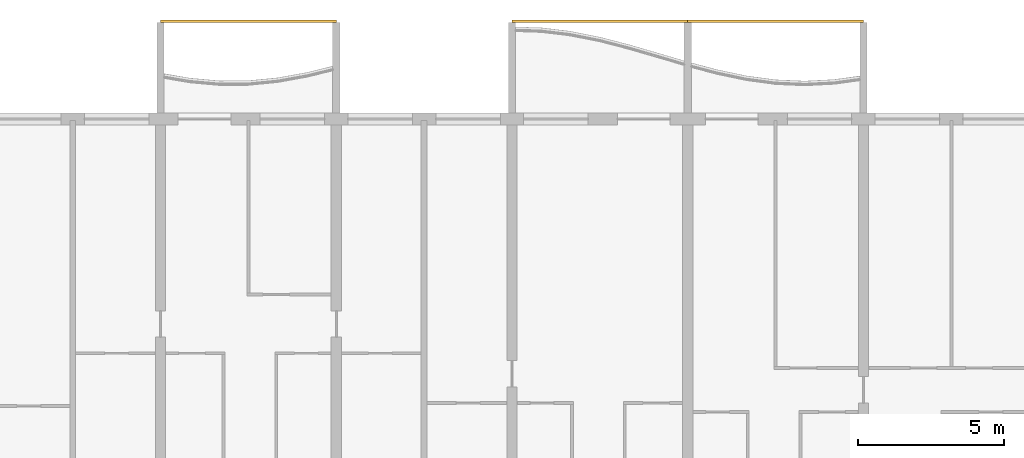
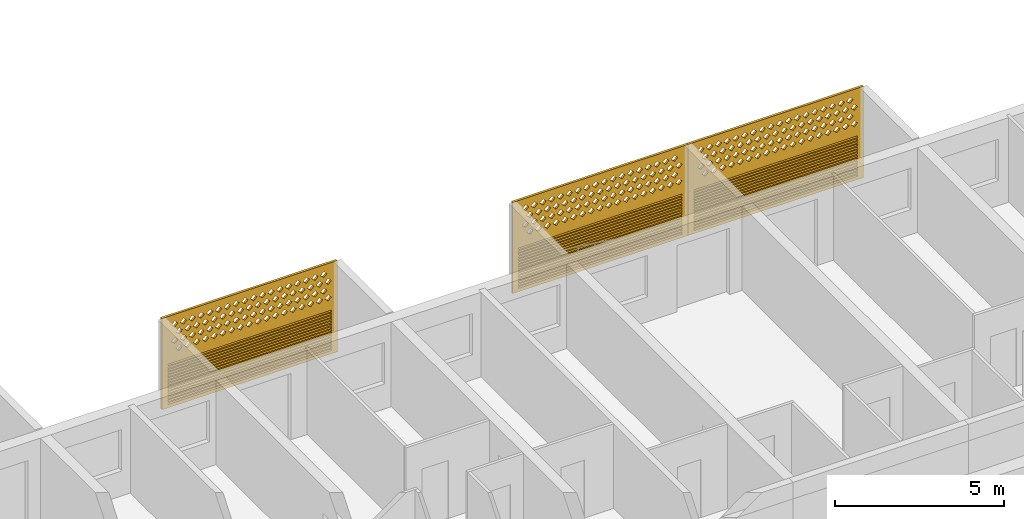
# One storey, part 23 of 30: 3 coverings.
"""IFC4 building model written with IfcOpenShell, lengths in metres."""

from ifc_helpers import new_model, si_unit, direction, frame, origin, place, context, subcontext, project, spatial, polyline, outline, extrude, source, transform, mapped, material, material_profile, profile_set, type_object, element, save


model = new_model("IFC4")

# Units and contexts
model_context = context("Model", 3, precision=1e-05, world=origin(), true_north=direction((0.0, 1.0)))
body_context = subcontext(model_context, "Body", "Model", "MODEL_VIEW")
ifc_project = project(units=[si_unit("LENGTHUNIT", "METRE"), si_unit("AREAUNIT", "SQUARE_METRE"), si_unit("VOLUMEUNIT", "CUBIC_METRE"), si_unit("PLANEANGLEUNIT", "RADIAN"), si_unit("MASSUNIT", "GRAM", prefix="KILO")], contexts=[model_context])

# Site, building, storey
site_placement = place(None, origin())
site = spatial("IfcSite", under=ifc_project, at=site_placement, CompositionType="ELEMENT")
building_placement = place(site_placement, origin())
building = spatial("IfcBuilding", under=site, at=building_placement, Name="Poui Terraces", CompositionType="ELEMENT")
storey_placement = place(building_placement, frame((0.0, 0.0, 99.300048828125)))
storey = spatial("IfcBuildingStorey", under=building, at=storey_placement, Name="L27", CompositionType="ELEMENT", Elevation=99.300048828125)

# Coverings
ifc_material = material(Name="Terracotta screen", Category="masonry")
ifc_material_profile = material_profile(ifc_material, outline(polyline([(-3.0, -1.64990234375), (3.0, -1.64990234375), (3.0, 1.64990234375), (-3.0, 1.64990234375), (-3.0, -1.64990234375)]), holes=[polyline([(-2.800048828125, 0.39990234375), (-2.68994140625, 0.2900390625), (-2.580078125, 0.39990234375), (-2.68994140625, 0.510009765625), (-2.800048828125, 0.39990234375)]), polyline([(-2.5, 0.39990234375), (-2.389892578125, 0.2900390625), (-2.280029296875, 0.39990234375), (-2.389892578125, 0.510009765625), (-2.5, 0.39990234375)]), polyline([(-2.199951171875, 0.39990234375), (-2.090087890625, 0.2900390625), (-1.97998046875, 0.39990234375), (-2.090087890625, 0.510009765625), (-2.199951171875, 0.39990234375)]), polyline([(-1.89990234375, 0.39990234375), (-1.7900390625, 0.2900390625), (-1.679931640625, 0.39990234375), (-1.7900390625, 0.510009765625), (-1.89990234375, 0.39990234375)]), polyline([(-1.60009765625, 0.39990234375), (-1.489990234375, 0.2900390625), (-1.3798828125, 0.39990234375), (-1.489990234375, 0.510009765625), (-1.60009765625, 0.39990234375)]), polyline([(-1.300048828125, 0.39990234375), (-1.18994140625, 0.2900390625), (-1.080078125, 0.39990234375), (-1.18994140625, 0.510009765625), (-1.300048828125, 0.39990234375)]), polyline([(-1.0, 0.39990234375), (-0.889892578125, 0.2900390625), (-0.780029296875, 0.39990234375), (-0.889892578125, 0.510009765625), (-1.0, 0.39990234375)]), polyline([(-0.699951171875, 0.39990234375), (-0.590087890625, 0.2900390625), (-0.47998046875, 0.39990234375), (-0.590087890625, 0.510009765625), (-0.699951171875, 0.39990234375)]), polyline([(-0.39990234375, 0.39990234375), (-0.2900390625, 0.2900390625), (-0.179931640625, 0.39990234375), (-0.2900390625, 0.510009765625), (-0.39990234375, 0.39990234375)]), polyline([(-0.10009765625, 0.39990234375), (0.010009765625, 0.2900390625), (0.1201171875, 0.39990234375), (0.010009765625, 0.510009765625), (-0.10009765625, 0.39990234375)]), polyline([(0.199951171875, 0.39990234375), (0.31005859375, 0.2900390625), (0.419921875, 0.39990234375), (0.31005859375, 0.510009765625), (0.199951171875, 0.39990234375)]), polyline([(0.5, 0.39990234375), (0.610107421875, 0.2900390625), (0.719970703125, 0.39990234375), (0.610107421875, 0.510009765625), (0.5, 0.39990234375)]), polyline([(0.800048828125, 0.39990234375), (0.909912109375, 0.2900390625), (1.02001953125, 0.39990234375), (0.909912109375, 0.510009765625), (0.800048828125, 0.39990234375)]), polyline([(1.10009765625, 0.39990234375), (1.2099609375, 0.2900390625), (1.320068359375, 0.39990234375), (1.2099609375, 0.510009765625), (1.10009765625, 0.39990234375)]), polyline([(1.39990234375, 0.39990234375), (1.510009765625, 0.2900390625), (1.6201171875, 0.39990234375), (1.510009765625, 0.510009765625), (1.39990234375, 0.39990234375)]), polyline([(1.699951171875, 0.39990234375), (1.81005859375, 0.2900390625), (1.919921875, 0.39990234375), (1.81005859375, 0.510009765625), (1.699951171875, 0.39990234375)]), polyline([(2.0, 0.39990234375), (2.110107421875, 0.2900390625), (2.219970703125, 0.39990234375), (2.110107421875, 0.510009765625), (2.0, 0.39990234375)]), polyline([(2.300048828125, 0.39990234375), (2.409912109375, 0.2900390625), (2.52001953125, 0.39990234375), (2.409912109375, 0.510009765625), (2.300048828125, 0.39990234375)]), polyline([(-2.64990234375, 0.699951171875), (-2.5400390625, 0.590087890625), (-2.429931640625, 0.699951171875), (-2.5400390625, 0.81005859375), (-2.64990234375, 0.699951171875)]), polyline([(-2.35009765625, 0.699951171875), (-2.239990234375, 0.590087890625), (-2.1298828125, 0.699951171875), (-2.239990234375, 0.81005859375), (-2.35009765625, 0.699951171875)]), polyline([(-2.050048828125, 0.699951171875), (-1.93994140625, 0.590087890625), (-1.830078125, 0.699951171875), (-1.93994140625, 0.81005859375), (-2.050048828125, 0.699951171875)]), polyline([(-1.75, 0.699951171875), (-1.639892578125, 0.590087890625), (-1.530029296875, 0.699951171875), (-1.639892578125, 0.81005859375), (-1.75, 0.699951171875)]), polyline([(-1.449951171875, 0.699951171875), (-1.340087890625, 0.590087890625), (-1.22998046875, 0.699951171875), (-1.340087890625, 0.81005859375), (-1.449951171875, 0.699951171875)]), polyline([(-1.14990234375, 0.699951171875), (-1.0400390625, 0.590087890625), (-0.929931640625, 0.699951171875), (-1.0400390625, 0.81005859375), (-1.14990234375, 0.699951171875)]), polyline([(-0.85009765625, 0.699951171875), (-0.739990234375, 0.590087890625), (-0.6298828125, 0.699951171875), (-0.739990234375, 0.81005859375), (-0.85009765625, 0.699951171875)]), polyline([(-0.550048828125, 0.699951171875), (-0.43994140625, 0.590087890625), (-0.330078125, 0.699951171875), (-0.43994140625, 0.81005859375), (-0.550048828125, 0.699951171875)]), polyline([(-0.25, 0.699951171875), (-0.139892578125, 0.590087890625), (-0.030029296875, 0.699951171875), (-0.139892578125, 0.81005859375), (-0.25, 0.699951171875)]), polyline([(0.050048828125, 0.699951171875), (0.159912109375, 0.590087890625), (0.27001953125, 0.699951171875), (0.159912109375, 0.81005859375), (0.050048828125, 0.699951171875)]), polyline([(0.35009765625, 0.699951171875), (0.4599609375, 0.590087890625), (0.570068359375, 0.699951171875), (0.4599609375, 0.81005859375), (0.35009765625, 0.699951171875)]), polyline([(0.64990234375, 0.699951171875), (0.760009765625, 0.590087890625), (0.8701171875, 0.699951171875), (0.760009765625, 0.81005859375), (0.64990234375, 0.699951171875)]), polyline([(0.949951171875, 0.699951171875), (1.06005859375, 0.590087890625), (1.169921875, 0.699951171875), (1.06005859375, 0.81005859375), (0.949951171875, 0.699951171875)]), polyline([(1.25, 0.699951171875), (1.360107421875, 0.590087890625), (1.469970703125, 0.699951171875), (1.360107421875, 0.81005859375), (1.25, 0.699951171875)]), polyline([(1.550048828125, 0.699951171875), (1.659912109375, 0.590087890625), (1.77001953125, 0.699951171875), (1.659912109375, 0.81005859375), (1.550048828125, 0.699951171875)]), polyline([(1.85009765625, 0.699951171875), (1.9599609375, 0.590087890625), (2.070068359375, 0.699951171875), (1.9599609375, 0.81005859375), (1.85009765625, 0.699951171875)]), polyline([(2.14990234375, 0.699951171875), (2.260009765625, 0.590087890625), (2.3701171875, 0.699951171875), (2.260009765625, 0.81005859375), (2.14990234375, 0.699951171875)]), polyline([(2.449951171875, 0.699951171875), (2.56005859375, 0.590087890625), (2.669921875, 0.699951171875), (2.56005859375, 0.81005859375), (2.449951171875, 0.699951171875)]), polyline([(-2.800048828125, 1.0), (-2.68994140625, 0.889892578125), (-2.580078125, 1.0), (-2.68994140625, 1.110107421875), (-2.800048828125, 1.0)]), polyline([(-2.5, 1.0), (-2.389892578125, 0.889892578125), (-2.280029296875, 1.0), (-2.389892578125, 1.110107421875), (-2.5, 1.0)]), polyline([(-2.199951171875, 1.0), (-2.090087890625, 0.889892578125), (-1.97998046875, 1.0), (-2.090087890625, 1.110107421875), (-2.199951171875, 1.0)]), polyline([(-1.89990234375, 1.0), (-1.7900390625, 0.889892578125), (-1.679931640625, 1.0), (-1.7900390625, 1.110107421875), (-1.89990234375, 1.0)]), polyline([(-1.60009765625, 1.0), (-1.489990234375, 0.889892578125), (-1.3798828125, 1.0), (-1.489990234375, 1.110107421875), (-1.60009765625, 1.0)]), polyline([(-1.300048828125, 1.0), (-1.18994140625, 0.889892578125), (-1.080078125, 1.0), (-1.18994140625, 1.110107421875), (-1.300048828125, 1.0)]), polyline([(-1.0, 1.0), (-0.889892578125, 0.889892578125), (-0.780029296875, 1.0), (-0.889892578125, 1.110107421875), (-1.0, 1.0)]), polyline([(-0.699951171875, 1.0), (-0.590087890625, 0.889892578125), (-0.47998046875, 1.0), (-0.590087890625, 1.110107421875), (-0.699951171875, 1.0)]), polyline([(-0.39990234375, 1.0), (-0.2900390625, 0.889892578125), (-0.179931640625, 1.0), (-0.2900390625, 1.110107421875), (-0.39990234375, 1.0)]), polyline([(-0.10009765625, 1.0), (0.010009765625, 0.889892578125), (0.1201171875, 1.0), (0.010009765625, 1.110107421875), (-0.10009765625, 1.0)]), polyline([(0.199951171875, 1.0), (0.31005859375, 0.889892578125), (0.419921875, 1.0), (0.31005859375, 1.110107421875), (0.199951171875, 1.0)]), polyline([(0.5, 1.0), (0.610107421875, 0.889892578125), (0.719970703125, 1.0), (0.610107421875, 1.110107421875), (0.5, 1.0)]), polyline([(0.800048828125, 1.0), (0.909912109375, 0.889892578125), (1.02001953125, 1.0), (0.909912109375, 1.110107421875), (0.800048828125, 1.0)]), polyline([(1.10009765625, 1.0), (1.2099609375, 0.889892578125), (1.320068359375, 1.0), (1.2099609375, 1.110107421875), (1.10009765625, 1.0)]), polyline([(1.39990234375, 1.0), (1.510009765625, 0.889892578125), (1.6201171875, 1.0), (1.510009765625, 1.110107421875), (1.39990234375, 1.0)]), polyline([(1.699951171875, 1.0), (1.81005859375, 0.889892578125), (1.919921875, 1.0), (1.81005859375, 1.110107421875), (1.699951171875, 1.0)]), polyline([(2.0, 1.0), (2.110107421875, 0.889892578125), (2.219970703125, 1.0), (2.110107421875, 1.110107421875), (2.0, 1.0)]), polyline([(2.300048828125, 1.0), (2.409912109375, 0.889892578125), (2.52001953125, 1.0), (2.409912109375, 1.110107421875), (2.300048828125, 1.0)]), polyline([(-2.64990234375, 1.300048828125), (-2.5400390625, 1.18994140625), (-2.429931640625, 1.300048828125), (-2.5400390625, 1.409912109375), (-2.64990234375, 1.300048828125)]), polyline([(-2.35009765625, 1.300048828125), (-2.239990234375, 1.18994140625), (-2.1298828125, 1.300048828125), (-2.239990234375, 1.409912109375), (-2.35009765625, 1.300048828125)]), polyline([(-2.050048828125, 1.300048828125), (-1.93994140625, 1.18994140625), (-1.830078125, 1.300048828125), (-1.93994140625, 1.409912109375), (-2.050048828125, 1.300048828125)]), polyline([(-1.75, 1.300048828125), (-1.639892578125, 1.18994140625), (-1.530029296875, 1.300048828125), (-1.639892578125, 1.409912109375), (-1.75, 1.300048828125)]), polyline([(-1.449951171875, 1.300048828125), (-1.340087890625, 1.18994140625), (-1.22998046875, 1.300048828125), (-1.340087890625, 1.409912109375), (-1.449951171875, 1.300048828125)]), polyline([(-1.14990234375, 1.300048828125), (-1.0400390625, 1.18994140625), (-0.929931640625, 1.300048828125), (-1.0400390625, 1.409912109375), (-1.14990234375, 1.300048828125)]), polyline([(-0.85009765625, 1.300048828125), (-0.739990234375, 1.18994140625), (-0.6298828125, 1.300048828125), (-0.739990234375, 1.409912109375), (-0.85009765625, 1.300048828125)]), polyline([(-0.550048828125, 1.300048828125), (-0.43994140625, 1.18994140625), (-0.330078125, 1.300048828125), (-0.43994140625, 1.409912109375), (-0.550048828125, 1.300048828125)]), polyline([(-0.25, 1.300048828125), (-0.139892578125, 1.18994140625), (-0.030029296875, 1.300048828125), (-0.139892578125, 1.409912109375), (-0.25, 1.300048828125)]), polyline([(0.050048828125, 1.300048828125), (0.159912109375, 1.18994140625), (0.27001953125, 1.300048828125), (0.159912109375, 1.409912109375), (0.050048828125, 1.300048828125)]), polyline([(0.35009765625, 1.300048828125), (0.4599609375, 1.18994140625), (0.570068359375, 1.300048828125), (0.4599609375, 1.409912109375), (0.35009765625, 1.300048828125)]), polyline([(0.64990234375, 1.300048828125), (0.760009765625, 1.18994140625), (0.8701171875, 1.300048828125), (0.760009765625, 1.409912109375), (0.64990234375, 1.300048828125)]), polyline([(0.949951171875, 1.300048828125), (1.06005859375, 1.18994140625), (1.169921875, 1.300048828125), (1.06005859375, 1.409912109375), (0.949951171875, 1.300048828125)]), polyline([(1.25, 1.300048828125), (1.360107421875, 1.18994140625), (1.469970703125, 1.300048828125), (1.360107421875, 1.409912109375), (1.25, 1.300048828125)]), polyline([(1.550048828125, 1.300048828125), (1.659912109375, 1.18994140625), (1.77001953125, 1.300048828125), (1.659912109375, 1.409912109375), (1.550048828125, 1.300048828125)]), polyline([(1.85009765625, 1.300048828125), (1.9599609375, 1.18994140625), (2.070068359375, 1.300048828125), (1.9599609375, 1.409912109375), (1.85009765625, 1.300048828125)]), polyline([(2.14990234375, 1.300048828125), (2.260009765625, 1.18994140625), (2.3701171875, 1.300048828125), (2.260009765625, 1.409912109375), (2.14990234375, 1.300048828125)]), polyline([(2.449951171875, 1.300048828125), (2.56005859375, 1.18994140625), (2.669921875, 1.300048828125), (2.56005859375, 1.409912109375), (2.449951171875, 1.300048828125)]), polyline([(-2.800048828125, -1.530029296875), (2.800048828125, -1.530029296875), (2.800048828125, -1.469970703125), (-2.800048828125, -1.469970703125), (-2.800048828125, -1.530029296875)]), polyline([(-2.800048828125, -1.429931640625), (2.800048828125, -1.429931640625), (2.800048828125, -1.3701171875), (-2.800048828125, -1.3701171875), (-2.800048828125, -1.429931640625)]), polyline([(-2.800048828125, -1.330078125), (2.800048828125, -1.330078125), (2.800048828125, -1.27001953125), (-2.800048828125, -1.27001953125), (-2.800048828125, -1.330078125)]), polyline([(-2.800048828125, -1.22998046875), (2.800048828125, -1.22998046875), (2.800048828125, -1.169921875), (-2.800048828125, -1.169921875), (-2.800048828125, -1.22998046875)]), polyline([(-2.800048828125, -1.1298828125), (2.800048828125, -1.1298828125), (2.800048828125, -1.070068359375), (-2.800048828125, -1.070068359375), (-2.800048828125, -1.1298828125)]), polyline([(-2.800048828125, -1.030029296875), (2.800048828125, -1.030029296875), (2.800048828125, -0.969970703125), (-2.800048828125, -0.969970703125), (-2.800048828125, -1.030029296875)]), polyline([(-2.800048828125, -0.929931640625), (2.800048828125, -0.929931640625), (2.800048828125, -0.8701171875), (-2.800048828125, -0.8701171875), (-2.800048828125, -0.929931640625)]), polyline([(-2.800048828125, -0.830078125), (2.800048828125, -0.830078125), (2.800048828125, -0.77001953125), (-2.800048828125, -0.77001953125), (-2.800048828125, -0.830078125)]), polyline([(-2.800048828125, -0.72998046875), (2.800048828125, -0.72998046875), (2.800048828125, -0.669921875), (-2.800048828125, -0.669921875), (-2.800048828125, -0.72998046875)]), polyline([(-2.800048828125, -0.6298828125), (2.800048828125, -0.6298828125), (2.800048828125, -0.570068359375), (-2.800048828125, -0.570068359375), (-2.800048828125, -0.6298828125)]), polyline([(-2.800048828125, -0.530029296875), (2.800048828125, -0.530029296875), (2.800048828125, -0.469970703125), (-2.800048828125, -0.469970703125), (-2.800048828125, -0.530029296875)]), polyline([(-2.800048828125, -0.429931640625), (2.800048828125, -0.429931640625), (2.800048828125, -0.3701171875), (-2.800048828125, -0.3701171875), (-2.800048828125, -0.429931640625)]), polyline([(-2.800048828125, -0.330078125), (2.800048828125, -0.330078125), (2.800048828125, -0.27001953125), (-2.800048828125, -0.27001953125), (-2.800048828125, -0.330078125)]), polyline([(-2.800048828125, -0.22998046875), (2.800048828125, -0.22998046875), (2.800048828125, -0.169921875), (-2.800048828125, -0.169921875), (-2.800048828125, -0.22998046875)]), polyline([(-2.800048828125, -0.1298828125), (2.800048828125, -0.1298828125), (2.800048828125, -0.070068359375), (-2.800048828125, -0.070068359375), (-2.800048828125, -0.1298828125)])]), Name="TERRACOTTA SCREEN AND JALOUSIE LOUVRE 6000X3300")
ifc_profile_set = profile_set([ifc_material_profile], Name="Terracotta screen")
covering_type = type_object("IfcCoveringType", Name="TERRACOTTA SCREEN AND JALOUSIE LOUVRE 6000X3300", PredefinedType="CLADDING", material=ifc_profile_set)
shared_shape = source(origin(), body_context, "Body", "SweptSolid", [
    extrude(outline(polyline([(-3.0, -1.64990234375), (3.0, -1.64990234375), (3.0, 1.64990234375), (-3.0, 1.64990234375), (-3.0, -1.64990234375)]), holes=[polyline([(-2.800048828125, 0.39990234375), (-2.68994140625, 0.2900390625), (-2.580078125, 0.39990234375), (-2.68994140625, 0.510009765625), (-2.800048828125, 0.39990234375)]), polyline([(-2.5, 0.39990234375), (-2.389892578125, 0.2900390625), (-2.280029296875, 0.39990234375), (-2.389892578125, 0.510009765625), (-2.5, 0.39990234375)]), polyline([(-2.199951171875, 0.39990234375), (-2.090087890625, 0.2900390625), (-1.97998046875, 0.39990234375), (-2.090087890625, 0.510009765625), (-2.199951171875, 0.39990234375)]), polyline([(-1.89990234375, 0.39990234375), (-1.7900390625, 0.2900390625), (-1.679931640625, 0.39990234375), (-1.7900390625, 0.510009765625), (-1.89990234375, 0.39990234375)]), polyline([(-1.60009765625, 0.39990234375), (-1.489990234375, 0.2900390625), (-1.3798828125, 0.39990234375), (-1.489990234375, 0.510009765625), (-1.60009765625, 0.39990234375)]), polyline([(-1.300048828125, 0.39990234375), (-1.18994140625, 0.2900390625), (-1.080078125, 0.39990234375), (-1.18994140625, 0.510009765625), (-1.300048828125, 0.39990234375)]), polyline([(-1.0, 0.39990234375), (-0.889892578125, 0.2900390625), (-0.780029296875, 0.39990234375), (-0.889892578125, 0.510009765625), (-1.0, 0.39990234375)]), polyline([(-0.699951171875, 0.39990234375), (-0.590087890625, 0.2900390625), (-0.47998046875, 0.39990234375), (-0.590087890625, 0.510009765625), (-0.699951171875, 0.39990234375)]), polyline([(-0.39990234375, 0.39990234375), (-0.2900390625, 0.2900390625), (-0.179931640625, 0.39990234375), (-0.2900390625, 0.510009765625), (-0.39990234375, 0.39990234375)]), polyline([(-0.10009765625, 0.39990234375), (0.010009765625, 0.2900390625), (0.1201171875, 0.39990234375), (0.010009765625, 0.510009765625), (-0.10009765625, 0.39990234375)]), polyline([(0.199951171875, 0.39990234375), (0.31005859375, 0.2900390625), (0.419921875, 0.39990234375), (0.31005859375, 0.510009765625), (0.199951171875, 0.39990234375)]), polyline([(0.5, 0.39990234375), (0.610107421875, 0.2900390625), (0.719970703125, 0.39990234375), (0.610107421875, 0.510009765625), (0.5, 0.39990234375)]), polyline([(0.800048828125, 0.39990234375), (0.909912109375, 0.2900390625), (1.02001953125, 0.39990234375), (0.909912109375, 0.510009765625), (0.800048828125, 0.39990234375)]), polyline([(1.10009765625, 0.39990234375), (1.2099609375, 0.2900390625), (1.320068359375, 0.39990234375), (1.2099609375, 0.510009765625), (1.10009765625, 0.39990234375)]), polyline([(1.39990234375, 0.39990234375), (1.510009765625, 0.2900390625), (1.6201171875, 0.39990234375), (1.510009765625, 0.510009765625), (1.39990234375, 0.39990234375)]), polyline([(1.699951171875, 0.39990234375), (1.81005859375, 0.2900390625), (1.919921875, 0.39990234375), (1.81005859375, 0.510009765625), (1.699951171875, 0.39990234375)]), polyline([(2.0, 0.39990234375), (2.110107421875, 0.2900390625), (2.219970703125, 0.39990234375), (2.110107421875, 0.510009765625), (2.0, 0.39990234375)]), polyline([(2.300048828125, 0.39990234375), (2.409912109375, 0.2900390625), (2.52001953125, 0.39990234375), (2.409912109375, 0.510009765625), (2.300048828125, 0.39990234375)]), polyline([(-2.64990234375, 0.699951171875), (-2.5400390625, 0.590087890625), (-2.429931640625, 0.699951171875), (-2.5400390625, 0.81005859375), (-2.64990234375, 0.699951171875)]), polyline([(-2.35009765625, 0.699951171875), (-2.239990234375, 0.590087890625), (-2.1298828125, 0.699951171875), (-2.239990234375, 0.81005859375), (-2.35009765625, 0.699951171875)]), polyline([(-2.050048828125, 0.699951171875), (-1.93994140625, 0.590087890625), (-1.830078125, 0.699951171875), (-1.93994140625, 0.81005859375), (-2.050048828125, 0.699951171875)]), polyline([(-1.75, 0.699951171875), (-1.639892578125, 0.590087890625), (-1.530029296875, 0.699951171875), (-1.639892578125, 0.81005859375), (-1.75, 0.699951171875)]), polyline([(-1.449951171875, 0.699951171875), (-1.340087890625, 0.590087890625), (-1.22998046875, 0.699951171875), (-1.340087890625, 0.81005859375), (-1.449951171875, 0.699951171875)]), polyline([(-1.14990234375, 0.699951171875), (-1.0400390625, 0.590087890625), (-0.929931640625, 0.699951171875), (-1.0400390625, 0.81005859375), (-1.14990234375, 0.699951171875)]), polyline([(-0.85009765625, 0.699951171875), (-0.739990234375, 0.590087890625), (-0.6298828125, 0.699951171875), (-0.739990234375, 0.81005859375), (-0.85009765625, 0.699951171875)]), polyline([(-0.550048828125, 0.699951171875), (-0.43994140625, 0.590087890625), (-0.330078125, 0.699951171875), (-0.43994140625, 0.81005859375), (-0.550048828125, 0.699951171875)]), polyline([(-0.25, 0.699951171875), (-0.139892578125, 0.590087890625), (-0.030029296875, 0.699951171875), (-0.139892578125, 0.81005859375), (-0.25, 0.699951171875)]), polyline([(0.050048828125, 0.699951171875), (0.159912109375, 0.590087890625), (0.27001953125, 0.699951171875), (0.159912109375, 0.81005859375), (0.050048828125, 0.699951171875)]), polyline([(0.35009765625, 0.699951171875), (0.4599609375, 0.590087890625), (0.570068359375, 0.699951171875), (0.4599609375, 0.81005859375), (0.35009765625, 0.699951171875)]), polyline([(0.64990234375, 0.699951171875), (0.760009765625, 0.590087890625), (0.8701171875, 0.699951171875), (0.760009765625, 0.81005859375), (0.64990234375, 0.699951171875)]), polyline([(0.949951171875, 0.699951171875), (1.06005859375, 0.590087890625), (1.169921875, 0.699951171875), (1.06005859375, 0.81005859375), (0.949951171875, 0.699951171875)]), polyline([(1.25, 0.699951171875), (1.360107421875, 0.590087890625), (1.469970703125, 0.699951171875), (1.360107421875, 0.81005859375), (1.25, 0.699951171875)]), polyline([(1.550048828125, 0.699951171875), (1.659912109375, 0.590087890625), (1.77001953125, 0.699951171875), (1.659912109375, 0.81005859375), (1.550048828125, 0.699951171875)]), polyline([(1.85009765625, 0.699951171875), (1.9599609375, 0.590087890625), (2.070068359375, 0.699951171875), (1.9599609375, 0.81005859375), (1.85009765625, 0.699951171875)]), polyline([(2.14990234375, 0.699951171875), (2.260009765625, 0.590087890625), (2.3701171875, 0.699951171875), (2.260009765625, 0.81005859375), (2.14990234375, 0.699951171875)]), polyline([(2.449951171875, 0.699951171875), (2.56005859375, 0.590087890625), (2.669921875, 0.699951171875), (2.56005859375, 0.81005859375), (2.449951171875, 0.699951171875)]), polyline([(-2.800048828125, 1.0), (-2.68994140625, 0.889892578125), (-2.580078125, 1.0), (-2.68994140625, 1.110107421875), (-2.800048828125, 1.0)]), polyline([(-2.5, 1.0), (-2.389892578125, 0.889892578125), (-2.280029296875, 1.0), (-2.389892578125, 1.110107421875), (-2.5, 1.0)]), polyline([(-2.199951171875, 1.0), (-2.090087890625, 0.889892578125), (-1.97998046875, 1.0), (-2.090087890625, 1.110107421875), (-2.199951171875, 1.0)]), polyline([(-1.89990234375, 1.0), (-1.7900390625, 0.889892578125), (-1.679931640625, 1.0), (-1.7900390625, 1.110107421875), (-1.89990234375, 1.0)]), polyline([(-1.60009765625, 1.0), (-1.489990234375, 0.889892578125), (-1.3798828125, 1.0), (-1.489990234375, 1.110107421875), (-1.60009765625, 1.0)]), polyline([(-1.300048828125, 1.0), (-1.18994140625, 0.889892578125), (-1.080078125, 1.0), (-1.18994140625, 1.110107421875), (-1.300048828125, 1.0)]), polyline([(-1.0, 1.0), (-0.889892578125, 0.889892578125), (-0.780029296875, 1.0), (-0.889892578125, 1.110107421875), (-1.0, 1.0)]), polyline([(-0.699951171875, 1.0), (-0.590087890625, 0.889892578125), (-0.47998046875, 1.0), (-0.590087890625, 1.110107421875), (-0.699951171875, 1.0)]), polyline([(-0.39990234375, 1.0), (-0.2900390625, 0.889892578125), (-0.179931640625, 1.0), (-0.2900390625, 1.110107421875), (-0.39990234375, 1.0)]), polyline([(-0.10009765625, 1.0), (0.010009765625, 0.889892578125), (0.1201171875, 1.0), (0.010009765625, 1.110107421875), (-0.10009765625, 1.0)]), polyline([(0.199951171875, 1.0), (0.31005859375, 0.889892578125), (0.419921875, 1.0), (0.31005859375, 1.110107421875), (0.199951171875, 1.0)]), polyline([(0.5, 1.0), (0.610107421875, 0.889892578125), (0.719970703125, 1.0), (0.610107421875, 1.110107421875), (0.5, 1.0)]), polyline([(0.800048828125, 1.0), (0.909912109375, 0.889892578125), (1.02001953125, 1.0), (0.909912109375, 1.110107421875), (0.800048828125, 1.0)]), polyline([(1.10009765625, 1.0), (1.2099609375, 0.889892578125), (1.320068359375, 1.0), (1.2099609375, 1.110107421875), (1.10009765625, 1.0)]), polyline([(1.39990234375, 1.0), (1.510009765625, 0.889892578125), (1.6201171875, 1.0), (1.510009765625, 1.110107421875), (1.39990234375, 1.0)]), polyline([(1.699951171875, 1.0), (1.81005859375, 0.889892578125), (1.919921875, 1.0), (1.81005859375, 1.110107421875), (1.699951171875, 1.0)]), polyline([(2.0, 1.0), (2.110107421875, 0.889892578125), (2.219970703125, 1.0), (2.110107421875, 1.110107421875), (2.0, 1.0)]), polyline([(2.300048828125, 1.0), (2.409912109375, 0.889892578125), (2.52001953125, 1.0), (2.409912109375, 1.110107421875), (2.300048828125, 1.0)]), polyline([(-2.64990234375, 1.300048828125), (-2.5400390625, 1.18994140625), (-2.429931640625, 1.300048828125), (-2.5400390625, 1.409912109375), (-2.64990234375, 1.300048828125)]), polyline([(-2.35009765625, 1.300048828125), (-2.239990234375, 1.18994140625), (-2.1298828125, 1.300048828125), (-2.239990234375, 1.409912109375), (-2.35009765625, 1.300048828125)]), polyline([(-2.050048828125, 1.300048828125), (-1.93994140625, 1.18994140625), (-1.830078125, 1.300048828125), (-1.93994140625, 1.409912109375), (-2.050048828125, 1.300048828125)]), polyline([(-1.75, 1.300048828125), (-1.639892578125, 1.18994140625), (-1.530029296875, 1.300048828125), (-1.639892578125, 1.409912109375), (-1.75, 1.300048828125)]), polyline([(-1.449951171875, 1.300048828125), (-1.340087890625, 1.18994140625), (-1.22998046875, 1.300048828125), (-1.340087890625, 1.409912109375), (-1.449951171875, 1.300048828125)]), polyline([(-1.14990234375, 1.300048828125), (-1.0400390625, 1.18994140625), (-0.929931640625, 1.300048828125), (-1.0400390625, 1.409912109375), (-1.14990234375, 1.300048828125)]), polyline([(-0.85009765625, 1.300048828125), (-0.739990234375, 1.18994140625), (-0.6298828125, 1.300048828125), (-0.739990234375, 1.409912109375), (-0.85009765625, 1.300048828125)]), polyline([(-0.550048828125, 1.300048828125), (-0.43994140625, 1.18994140625), (-0.330078125, 1.300048828125), (-0.43994140625, 1.409912109375), (-0.550048828125, 1.300048828125)]), polyline([(-0.25, 1.300048828125), (-0.139892578125, 1.18994140625), (-0.030029296875, 1.300048828125), (-0.139892578125, 1.409912109375), (-0.25, 1.300048828125)]), polyline([(0.050048828125, 1.300048828125), (0.159912109375, 1.18994140625), (0.27001953125, 1.300048828125), (0.159912109375, 1.409912109375), (0.050048828125, 1.300048828125)]), polyline([(0.35009765625, 1.300048828125), (0.4599609375, 1.18994140625), (0.570068359375, 1.300048828125), (0.4599609375, 1.409912109375), (0.35009765625, 1.300048828125)]), polyline([(0.64990234375, 1.300048828125), (0.760009765625, 1.18994140625), (0.8701171875, 1.300048828125), (0.760009765625, 1.409912109375), (0.64990234375, 1.300048828125)]), polyline([(0.949951171875, 1.300048828125), (1.06005859375, 1.18994140625), (1.169921875, 1.300048828125), (1.06005859375, 1.409912109375), (0.949951171875, 1.300048828125)]), polyline([(1.25, 1.300048828125), (1.360107421875, 1.18994140625), (1.469970703125, 1.300048828125), (1.360107421875, 1.409912109375), (1.25, 1.300048828125)]), polyline([(1.550048828125, 1.300048828125), (1.659912109375, 1.18994140625), (1.77001953125, 1.300048828125), (1.659912109375, 1.409912109375), (1.550048828125, 1.300048828125)]), polyline([(1.85009765625, 1.300048828125), (1.9599609375, 1.18994140625), (2.070068359375, 1.300048828125), (1.9599609375, 1.409912109375), (1.85009765625, 1.300048828125)]), polyline([(2.14990234375, 1.300048828125), (2.260009765625, 1.18994140625), (2.3701171875, 1.300048828125), (2.260009765625, 1.409912109375), (2.14990234375, 1.300048828125)]), polyline([(2.449951171875, 1.300048828125), (2.56005859375, 1.18994140625), (2.669921875, 1.300048828125), (2.56005859375, 1.409912109375), (2.449951171875, 1.300048828125)]), polyline([(-2.800048828125, -1.530029296875), (2.800048828125, -1.530029296875), (2.800048828125, -1.469970703125), (-2.800048828125, -1.469970703125), (-2.800048828125, -1.530029296875)]), polyline([(-2.800048828125, -1.429931640625), (2.800048828125, -1.429931640625), (2.800048828125, -1.3701171875), (-2.800048828125, -1.3701171875), (-2.800048828125, -1.429931640625)]), polyline([(-2.800048828125, -1.330078125), (2.800048828125, -1.330078125), (2.800048828125, -1.27001953125), (-2.800048828125, -1.27001953125), (-2.800048828125, -1.330078125)]), polyline([(-2.800048828125, -1.22998046875), (2.800048828125, -1.22998046875), (2.800048828125, -1.169921875), (-2.800048828125, -1.169921875), (-2.800048828125, -1.22998046875)]), polyline([(-2.800048828125, -1.1298828125), (2.800048828125, -1.1298828125), (2.800048828125, -1.070068359375), (-2.800048828125, -1.070068359375), (-2.800048828125, -1.1298828125)]), polyline([(-2.800048828125, -1.030029296875), (2.800048828125, -1.030029296875), (2.800048828125, -0.969970703125), (-2.800048828125, -0.969970703125), (-2.800048828125, -1.030029296875)]), polyline([(-2.800048828125, -0.929931640625), (2.800048828125, -0.929931640625), (2.800048828125, -0.8701171875), (-2.800048828125, -0.8701171875), (-2.800048828125, -0.929931640625)]), polyline([(-2.800048828125, -0.830078125), (2.800048828125, -0.830078125), (2.800048828125, -0.77001953125), (-2.800048828125, -0.77001953125), (-2.800048828125, -0.830078125)]), polyline([(-2.800048828125, -0.72998046875), (2.800048828125, -0.72998046875), (2.800048828125, -0.669921875), (-2.800048828125, -0.669921875), (-2.800048828125, -0.72998046875)]), polyline([(-2.800048828125, -0.6298828125), (2.800048828125, -0.6298828125), (2.800048828125, -0.570068359375), (-2.800048828125, -0.570068359375), (-2.800048828125, -0.6298828125)]), polyline([(-2.800048828125, -0.530029296875), (2.800048828125, -0.530029296875), (2.800048828125, -0.469970703125), (-2.800048828125, -0.469970703125), (-2.800048828125, -0.530029296875)]), polyline([(-2.800048828125, -0.429931640625), (2.800048828125, -0.429931640625), (2.800048828125, -0.3701171875), (-2.800048828125, -0.3701171875), (-2.800048828125, -0.429931640625)]), polyline([(-2.800048828125, -0.330078125), (2.800048828125, -0.330078125), (2.800048828125, -0.27001953125), (-2.800048828125, -0.27001953125), (-2.800048828125, -0.330078125)]), polyline([(-2.800048828125, -0.22998046875), (2.800048828125, -0.22998046875), (2.800048828125, -0.169921875), (-2.800048828125, -0.169921875), (-2.800048828125, -0.22998046875)]), polyline([(-2.800048828125, -0.1298828125), (2.800048828125, -0.1298828125), (2.800048828125, -0.070068359375), (-2.800048828125, -0.070068359375), (-2.800048828125, -0.1298828125)])]), origin(), (0.0, 0.0, 1.0), 0.080078125),
])
for number, where, z_axis, x_axis, name in (
    (1, (39.0, 46.89990234375, 1.449951171875), (0.0, 1.0, 0.0), (-1.0, 0.0, 0.0), "SOLAR SCREEN AND JALOUSIE LOUVRE"),
    (2, (51.0, 46.89990234375, 1.449951171875), (0.0, 1.0, 0.0), (-1.0, 0.0, 0.0), "SOLAR SCREEN AND JALOUSIE LOUVRE"),
    (3, (57.0, 46.89990234375, 1.449951171875), (0.0, 1.0, 0.0), (-1.0, 0.0, 0.0), "SOLAR SCREEN AND JALOUSIE LOUVRE"),
):
    element("IfcCovering", number, at=place(storey_placement, frame(where, z_axis=z_axis, x_axis=x_axis)), inside=storey, type_object=covering_type, Name=name, PredefinedType="CLADDING", context=body_context, shape_type="MappedRepresentation", body=[
        mapped(shared_shape, transform((0.0, 0.0, 0.0))),
    ])

save(model, "model.ifc")
